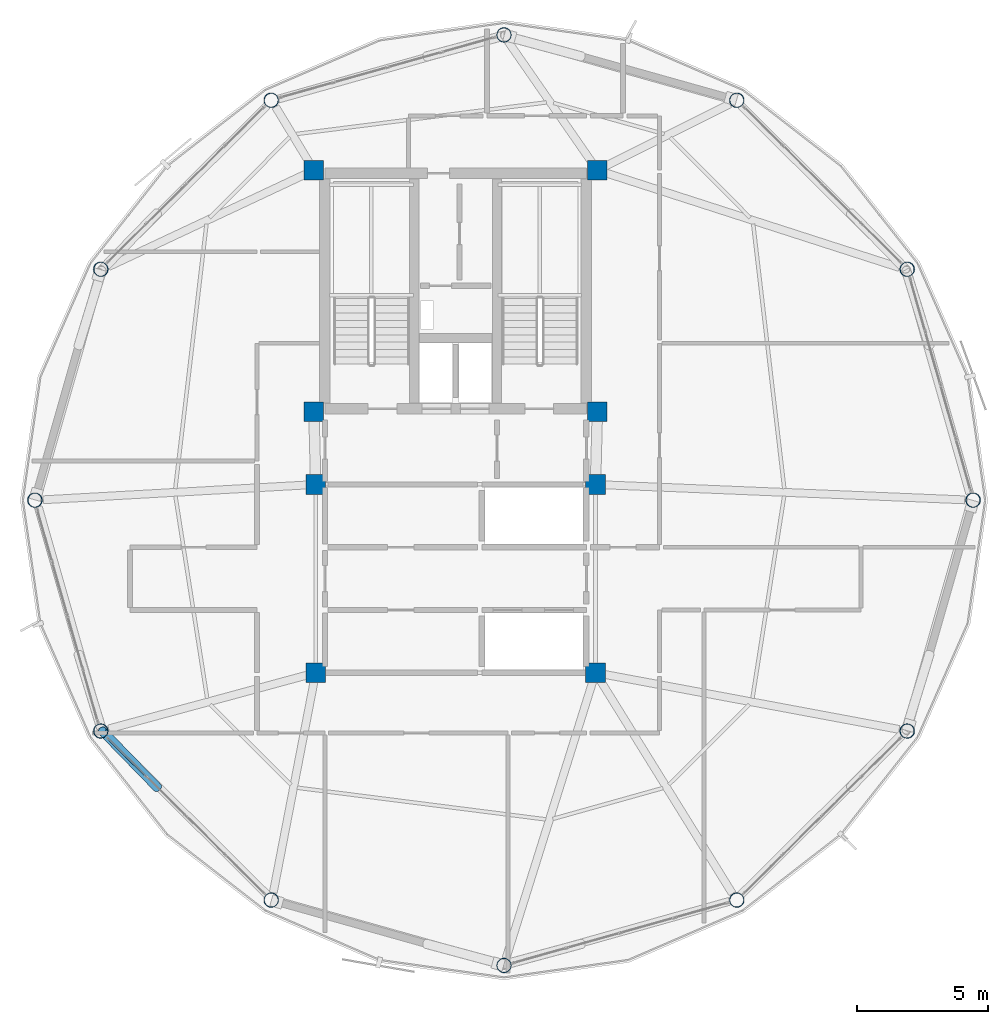
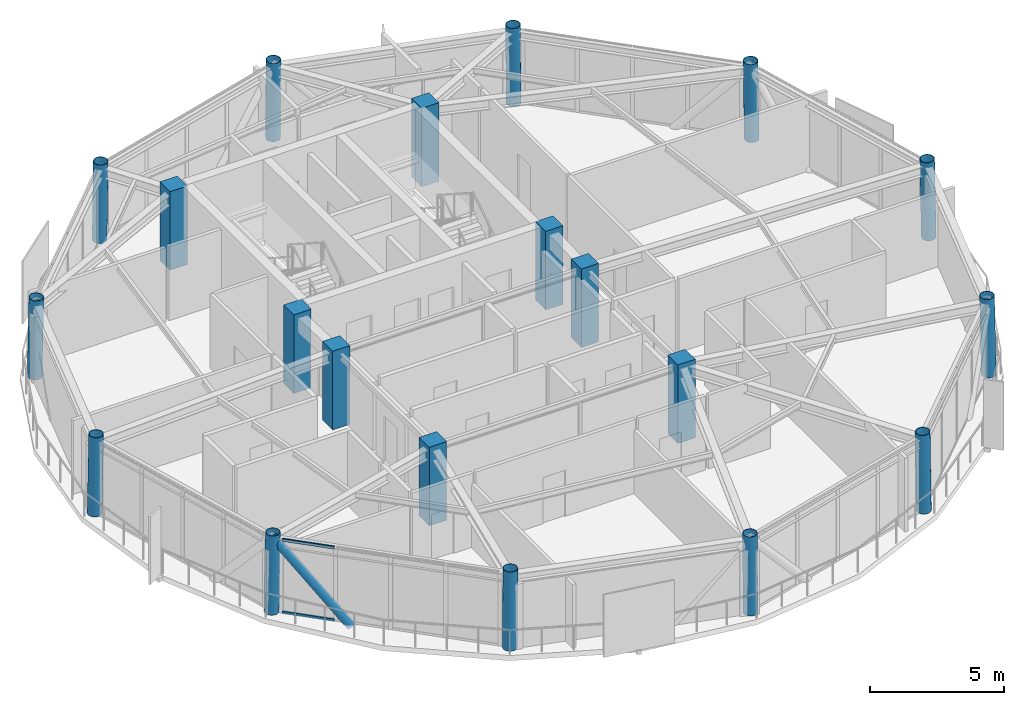
# One storey, part 1 of 25: 20 columns, 3 members, 1 element without a shape of its own.
"""IFC4 building model written with IfcOpenShell, lengths in metres."""

import ifcopenshell
import ifcopenshell.guid

model = None  # the IFC model being written
_history = None  # IfcOwnerHistory: only IFC2X3 demands one
_inside = {}  # id of a spatial element -> (the spatial element, [elements in it])
_under = {}  # id of a project, library or spatial element -> (it, [spatial elements below it])
_declared = {}  # id of a project -> (the project, [libraries it declares])
_typed = {}  # id of a type object -> (the type object, [elements of that type])
_made_of = {}  # id of a material, layer set ... -> (it, [elements and type objects made of it])


def new_model(schema):
    """Start an empty IFC model of exactly this schema.

    Asked for "IFC4X3", IfcOpenShell would pick the latest addendum, in which some entities
    have other attributes; the version numbers below select the first issue.
    IFC2X3 requires an IfcOwnerHistory on every rooted entity: one is made here for all.
    """
    global model, _history
    if schema == "IFC4X3":
        model = ifcopenshell.file(schema_version=(4, 3, 0, 0))
    else:
        model = ifcopenshell.file(schema=schema)
    _inside.clear()
    _under.clear()
    _declared.clear()
    _typed.clear()
    _made_of.clear()
    _history = None
    if model.schema == "IFC2X3":
        org = make("IfcOrganization", Name="unknown")
        user = make(
            "IfcPersonAndOrganization",
            ThePerson=make("IfcPerson", FamilyName="unknown"),
            TheOrganization=org,
        )
        app = make(
            "IfcApplication",
            ApplicationDeveloper=org,
            Version="unknown",
            ApplicationFullName="unknown",
            ApplicationIdentifier="unknown",
        )
        _history = make(
            "IfcOwnerHistory",
            OwningUser=user,
            OwningApplication=app,
            ChangeAction="ADDED",
            CreationDate=0,
        )
    return model


def make(cls, **values):
    """One entity of the class cls with the attributes given. An attribute that is None is left unset."""
    return model.create_entity(
        cls, **{name: value for name, value in values.items() if value is not None}
    )


def rooted(cls, **values):
    """An entity with a GlobalId (a new one), such as an element, a storey or a relation."""
    return make(cls, GlobalId=ifcopenshell.guid.new(), OwnerHistory=_history, **values)


def si_unit(unit_type, name, prefix=None):
    """IfcSIUnit, for example si_unit("LENGTHUNIT", "METRE", prefix="MILLI")."""
    return make("IfcSIUnit", UnitType=unit_type, Prefix=prefix, Name=name)


def assignment(units):
    """IfcUnitAssignment: the units of a project."""
    return None if units is None else make("IfcUnitAssignment", Units=units)


def point(xyz):
    """IfcCartesianPoint."""
    return None if xyz is None else make("IfcCartesianPoint", Coordinates=xyz)


def direction(xyz):
    """IfcDirection."""
    return None if xyz is None else make("IfcDirection", DirectionRatios=xyz)


def frame(location, z_axis=None, x_axis=None):
    """IfcAxis2Placement3D, a coordinate frame: its origin and axes. An axis left out is left unset."""
    return make(
        "IfcAxis2Placement3D",
        Location=point(location),
        Axis=direction(z_axis),
        RefDirection=direction(x_axis),
    )


def frame_2d(location, x_axis=None):
    """IfcAxis2Placement2D, a coordinate frame in the plane: its origin and x axis."""
    return make(
        "IfcAxis2Placement2D", Location=point(location), RefDirection=direction(x_axis)
    )


def origin():
    """The frame at (0, 0, 0) with its axes left unset."""
    return frame((0.0, 0.0, 0.0))


def origin_2d():
    """The frame at (0, 0) in the plane with its x axis left unset."""
    return frame_2d((0.0, 0.0))


def place(relative_to, where):
    """IfcLocalPlacement: puts the frame where relative to a parent placement (None: the world)."""
    return make(
        "IfcLocalPlacement", PlacementRelTo=relative_to, RelativePlacement=where
    )


def context(
    kind, dimensions, precision=None, world=None, true_north=None, identifier=None
):
    """IfcGeometricRepresentationContext, for example the 3D "Model" context."""
    return make(
        "IfcGeometricRepresentationContext",
        ContextIdentifier=identifier,
        ContextType=kind,
        CoordinateSpaceDimension=dimensions,
        Precision=precision,
        WorldCoordinateSystem=world,
        TrueNorth=true_north,
    )


def subcontext(parent, identifier, kind, view, scale=None):
    """IfcGeometricRepresentationSubContext, for example "Body" below "Model"."""
    return make(
        "IfcGeometricRepresentationSubContext",
        ContextIdentifier=identifier,
        ContextType=kind,
        ParentContext=parent,
        TargetScale=scale,
        TargetView=view,
    )


def project(units=None, contexts=None):
    """IfcProject with its units and contexts."""
    return rooted(
        "IfcProject",
        Name="project",
        RepresentationContexts=contexts,
        UnitsInContext=assignment(units),
    )


def spatial(cls, under=None, at=None, **own):
    """A site, building, storey or space (cls), placed at a placement, below another one or the project."""
    s = rooted(cls, ObjectPlacement=at, **own)
    if under is not None:
        _under.setdefault(under.id(), (under, []))[1].append(s)
    return s


def profile(cls, at=None, kind="AREA", **sizes):
    """A parametric profile (cls). Its sizes go by their IFC names, for example OverallWidth=200.0."""
    return make(cls, ProfileType=kind, Position=at, **sizes)


def rectangle(**sizes):
    """IfcRectangleProfileDef."""
    return profile("IfcRectangleProfileDef", **sizes)


def hollow_rectangle(**sizes):
    """IfcRectangleHollowProfileDef."""
    return profile("IfcRectangleHollowProfileDef", **sizes)


def hollow_circle(**sizes):
    """IfcCircleHollowProfileDef."""
    return profile("IfcCircleHollowProfileDef", **sizes)


def extrude(swept, where, along, depth):
    """IfcExtrudedAreaSolid: the profile swept, set in the frame where, extruded along a direction by depth."""
    return make(
        "IfcExtrudedAreaSolid",
        SweptArea=swept,
        Position=where,
        ExtrudedDirection=direction(along),
        Depth=depth,
    )


def shape(context_of_items, identifier, shape_type, items):
    """IfcShapeRepresentation: the items that make up one representation, for example the "Body"."""
    return make(
        "IfcShapeRepresentation",
        ContextOfItems=context_of_items,
        RepresentationIdentifier=identifier,
        RepresentationType=shape_type,
        Items=items,
    )


def material(Name=None, Category=None):
    """IfcMaterial."""
    return make("IfcMaterial", Name=Name, Category=Category)


def layer(
    of_material, thickness, ventilated=None, Name=None, Category=None, Priority=None
):
    """IfcMaterialLayer: one layer of a wall or slab, of a material (None: an air gap)."""
    return make(
        "IfcMaterialLayer",
        Material=of_material,
        LayerThickness=thickness,
        IsVentilated=ventilated,
        Name=Name,
        Category=Category,
        Priority=Priority,
    )


def layer_set(layers, Name=None):
    """IfcMaterialLayerSet."""
    return make("IfcMaterialLayerSet", MaterialLayers=layers, LayerSetName=Name)


def material_profile(
    of_material, cross_section, Name=None, Category=None, Priority=None
):
    """IfcMaterialProfile: a cross section and its material."""
    return make(
        "IfcMaterialProfile",
        Name=Name,
        Material=of_material,
        Profile=cross_section,
        Priority=Priority,
        Category=Category,
    )


def profile_set(profiles, Name=None, composite=None):
    """IfcMaterialProfileSet."""
    return make(
        "IfcMaterialProfileSet",
        Name=Name,
        MaterialProfiles=profiles,
        CompositeProfile=composite,
    )


def made_of(thing, what):
    """Note that an element or type object is made of a material, layer set ...; save() writes the relation."""
    if what is not None:
        _made_of.setdefault(what.id(), (what, []))[1].append(thing)
    return thing


def type_object(cls, material=None, **own):
    """A type object (cls), such as IfcWallType, which elements share."""
    return made_of(rooted(cls, **own), material)


def element(
    cls,
    number,
    at=None,
    inside=None,
    cuts=None,
    type_object=None,
    material=None,
    context=None,
    identifier="Body",
    shape_type=None,
    held_by="IfcProductDefinitionShape",
    body=None,
    shapes=None,
    **own,
):
    """One element of the class cls, such as IfcWall. Its Tag is "e" and its number.

    at: its placement. inside: the storey or other place that contains it. cuts: it is an
    opening in that element (IfcRelVoidsElement). A single representation is given by context,
    identifier, shape_type and body (its items); several are given by shapes. held_by: the class
    of the entity that holds the representations. save() writes the other relations.
    """
    e = rooted(cls, Tag="e%d" % number, ObjectPlacement=at, **own)
    if body is not None:
        shapes = [shape(context, identifier, shape_type, body)]
    if shapes is not None:
        e.Representation = make(held_by, Representations=shapes)
    if inside is not None:
        _inside.setdefault(inside.id(), (inside, []))[1].append(e)
    if cuts is not None:
        rooted(
            "IfcRelVoidsElement", RelatingBuildingElement=cuts, RelatedOpeningElement=e
        )
    if type_object is not None:
        _typed.setdefault(type_object.id(), (type_object, []))[1].append(e)
    return made_of(e, material)


def aggregate(whole, parts):
    """IfcRelAggregates: a whole, such as a stair, and the parts it consists of."""
    return rooted("IfcRelAggregates", RelatingObject=whole, RelatedObjects=parts)


def save(model, path):
    """Write the relations noted so far, then the file.

    IfcRelAggregates (storeys below a building ...), IfcRelContainedInSpatialStructure (elements
    in a storey), IfcRelDefinesByType, IfcRelAssociatesMaterial and IfcRelDeclares: one each for
    every whole, place, type object, material and project.
    """
    for whole, parts in _under.values():
        aggregate(whole, parts)
    for where, things in _inside.values():
        rooted(
            "IfcRelContainedInSpatialStructure",
            RelatedElements=things,
            RelatingStructure=where,
        )
    for kind, things in _typed.values():
        rooted("IfcRelDefinesByType", RelatedObjects=things, RelatingType=kind)
    for what, things in _made_of.values():
        rooted("IfcRelAssociatesMaterial", RelatedObjects=things, RelatingMaterial=what)
    for by, libraries in _declared.values():
        rooted("IfcRelDeclares", RelatingContext=by, RelatedDefinitions=libraries)
    model.write(path)


model = new_model("IFC4")

# Units and contexts
model_context = context("Model", 3, precision=1e-05, world=origin(), true_north=direction((0.0, 1.0)))
body_context = subcontext(model_context, "Body", "Model", "MODEL_VIEW")
ifc_project = project(units=[si_unit("LENGTHUNIT", "METRE"), si_unit("AREAUNIT", "SQUARE_METRE"), si_unit("VOLUMEUNIT", "CUBIC_METRE"), si_unit("PLANEANGLEUNIT", "RADIAN"), si_unit("MASSUNIT", "GRAM", prefix="KILO")], contexts=[model_context])

# Site, building, storey
site_placement = place(None, origin())
site = spatial("IfcSite", under=ifc_project, at=site_placement, CompositionType="ELEMENT")
building_placement = place(site_placement, origin())
building = spatial("IfcBuilding", under=site, at=building_placement, Name="Varnakorn Sky Granary", CompositionType="ELEMENT")
storey_placement = place(building_placement, frame((0.0, 0.0, 277.800048828125)))
storey = spatial("IfcBuildingStorey", under=building, at=storey_placement, Name="L71", CompositionType="ELEMENT", Elevation=277.800048828125)

# Columns
ifc_material_1 = material(Name="Steel S460M", Category="steel")
ifc_material_profile_1 = material_profile(ifc_material_1, hollow_circle(Radius=0.279541015625, WallThickness=0.02001953125, at=origin_2d()), Name="CHS 559x20")
ifc_profile_set_1 = profile_set([ifc_material_profile_1], Name="Steel S460M")
column_type_1 = type_object("IfcColumnType", Name="COL-DC-Z5", PredefinedType="COLUMN", material=ifc_profile_set_1)
column_1_placement = place(storey_placement, frame((22.802978515625, 0.0, 0.0), z_axis=(-0.018981760075, 0.0, 0.999819830162), x_axis=(0.0, -1.0, 0.0)))
element("IfcColumn", 1, at=column_1_placement, inside=storey, type_object=column_type_1, Name="Drum Perimeter Column DC01 L71", PredefinedType="COLUMN", context=body_context, shape_type="SweptSolid", body=[
    extrude(hollow_circle(Radius=0.279541015625, WallThickness=0.02001953125, at=origin_2d()), origin(), (0.0, 0.0, 1.0), 3.57568359375),
])
column_2_placement = place(storey_placement, frame((20.28076171875, 8.83349609375, 0.0), z_axis=(-0.016455959383, -0.00477973924, 0.999853166967), x_axis=(0.278928739366, -0.960311802674, 0.0)))
element("IfcColumn", 2, at=column_2_placement, inside=storey, type_object=column_type_1, Name="Drum Perimeter Column DC02 L71", PredefinedType="COLUMN", context=body_context, shape_type="SweptSolid", body=[
    extrude(hollow_circle(Radius=0.279541015625, WallThickness=0.02001953125, at=origin_2d()), origin(), (0.0, 0.0, 1.0), 3.575439453125),
])
for number, where, z_axis, x_axis, name in (
    (3, (13.759033203125, 15.300048828125, 0.0), (-0.00949183863, -0.008262679671, 0.999920813427), (0.656581650754, -0.754254954172, 0.0), "Drum Perimeter Column DC03 L71"),
    (4, (4.85009765625, 17.802001953125, 0.0), (0.0, -0.00949216266, 0.999954948409), (1.0, 0.0, 0.0), "Drum Perimeter Column DC04 L71"),
    (5, (-4.05908203125, 15.300048828125, 0.0), (0.009560119021, -0.008262674296, 0.999920162982), (0.653901224294, 0.756579928935, 0.0), "Drum Perimeter Column DC05 L71"),
):
    element("IfcColumn", number, at=place(storey_placement, frame(where, z_axis=z_axis, x_axis=x_axis)), inside=storey, type_object=column_type_1, Name=name, PredefinedType="COLUMN", context=body_context, shape_type="SweptSolid", body=[
        extrude(hollow_circle(Radius=0.279541015625, WallThickness=0.02001953125, at=origin_2d()), origin(), (0.0, 0.0, 1.0), 3.5751953125),
    ])
column_3_placement = place(storey_placement, frame((-10.580810546875, 8.83349609375, 0.0), z_axis=(0.016455959383, -0.00477973924, 0.999853166967), x_axis=(0.278928739366, 0.960311802674, 0.0)))
element("IfcColumn", 6, at=column_3_placement, inside=storey, type_object=column_type_1, Name="Drum Perimeter Column DC06 L71", PredefinedType="COLUMN", context=body_context, shape_type="SweptSolid", body=[
    extrude(hollow_circle(Radius=0.279541015625, WallThickness=0.02001953125, at=origin_2d()), origin(), (0.0, 0.0, 1.0), 3.575439453125),
])
column_4_placement = place(storey_placement, frame((-13.10302734375, 0.0, 0.0), z_axis=(0.019050015053, 0.0, 0.999818531998), x_axis=(0.0, 1.0, 0.0)))
element("IfcColumn", 7, at=column_4_placement, inside=storey, type_object=column_type_1, Name="Drum Perimeter Column DC07 L71", PredefinedType="COLUMN", context=body_context, shape_type="SweptSolid", body=[
    extrude(hollow_circle(Radius=0.279541015625, WallThickness=0.02001953125, at=origin_2d()), origin(), (0.0, 0.0, 1.0), 3.57568359375),
])
column_5_placement = place(storey_placement, frame((-10.580810546875, -8.83349609375, 0.0), z_axis=(0.016455959383, 0.00477973924, 0.999853166967), x_axis=(-0.278928739366, 0.960311802674, 0.0)))
element("IfcColumn", 8, at=column_5_placement, inside=storey, type_object=column_type_1, Name="Drum Perimeter Column DC08 L71", PredefinedType="COLUMN", context=body_context, shape_type="SweptSolid", body=[
    extrude(hollow_circle(Radius=0.279541015625, WallThickness=0.02001953125, at=origin_2d()), origin(), (0.0, 0.0, 1.0), 3.575439453125),
])
for number, where, z_axis, x_axis, name in (
    (9, (-4.05908203125, -15.300048828125, 0.0), (0.009560119021, 0.008262674296, 0.999920162982), (-0.653901224294, 0.756579928935, 0.0), "Drum Perimeter Column DC09 L71"),
    (10, (4.85009765625, -17.802001953125, 0.0), (0.0, 0.00949216266, 0.999954948409), (-1.0, 0.0, 0.0), "Drum Perimeter Column DC10 L71"),
    (11, (13.759033203125, -15.300048828125, 0.0), (-0.00949183863, 0.008262679671, 0.999920813427), (-0.656581650754, -0.754254954172, 0.0), "Drum Perimeter Column DC11 L71"),
):
    element("IfcColumn", number, at=place(storey_placement, frame(where, z_axis=z_axis, x_axis=x_axis)), inside=storey, type_object=column_type_1, Name=name, PredefinedType="COLUMN", context=body_context, shape_type="SweptSolid", body=[
        extrude(hollow_circle(Radius=0.279541015625, WallThickness=0.02001953125, at=origin_2d()), origin(), (0.0, 0.0, 1.0), 3.5751953125),
    ])
column_6_placement = place(storey_placement, frame((20.28076171875, -8.83349609375, 0.0), z_axis=(-0.016455959383, 0.00477973924, 0.999853166967), x_axis=(-0.278928739366, -0.960311802674, 0.0)))
element("IfcColumn", 12, at=column_6_placement, inside=storey, type_object=column_type_1, Name="Drum Perimeter Column DC12 L71", PredefinedType="COLUMN", context=body_context, shape_type="SweptSolid", body=[
    extrude(hollow_circle(Radius=0.279541015625, WallThickness=0.02001953125, at=origin_2d()), origin(), (0.0, 0.0, 1.0), 3.575439453125),
])
ifc_material_2 = material(Name="Concrete C50/60", Category="concrete")
ifc_material_profile_2 = material_profile(ifc_material_2, rectangle(XDim=0.75, YDim=0.75, at=origin_2d()), Name="RC 750x750")
ifc_profile_set_2 = profile_set([ifc_material_profile_2], Name="Concrete C50/60")
column_type_2 = type_object("IfcColumnType", Name="COL-MC-Z5", PredefinedType="COLUMN", material=ifc_profile_set_2)
for number, where, z_axis, x_axis, name in (
    (13, (-2.419921875, 12.6201171875, 0.0), (0.0, 0.0, 1.0), (1.0, 0.0, 0.0), "Backbone Mega-Column MC1 L71"),
    (14, (8.419921875, 12.6201171875, 0.0), (0.0, 0.0, 1.0), (1.0, 0.0, 0.0), "Backbone Mega-Column MC2 L71"),
    (15, (-2.419921875, 3.3798828125, 0.0), (0.0, 0.0, 1.0), (1.0, 0.0, 0.0), "Backbone Mega-Column MC3 L71"),
    (16, (8.419921875, 3.3798828125, 0.0), (0.0, 0.0, 1.0), (1.0, 0.0, 0.0), "Backbone Mega-Column MC4 L71"),
    (17, (-2.35009765625, 0.60009765625, 0.0), (0.0, 0.0, 1.0), (1.0, 0.0, 0.0), "Backbone Mega-Column MC5 L71"),
    (18, (8.35009765625, 0.60009765625, 0.0), (0.0, 0.0, 1.0), (1.0, 0.0, 0.0), "Backbone Mega-Column MC6 L71"),
    (19, (-2.35009765625, -6.60009765625, 0.0), (0.0, 0.0, 1.0), (1.0, 0.0, 0.0), "Backbone Mega-Column MC7 L71"),
    (20, (8.35009765625, -6.60009765625, 0.0), (0.0, 0.0, 1.0), (1.0, 0.0, 0.0), "Backbone Mega-Column MC8 L71"),
):
    element("IfcColumn", number, at=place(storey_placement, frame(where, z_axis=z_axis, x_axis=x_axis)), inside=storey, type_object=column_type_2, Name=name, PredefinedType="COLUMN", context=body_context, shape_type="SweptSolid", body=[
        extrude(rectangle(XDim=0.75, YDim=0.75, at=origin_2d()), origin(), (0.0, 0.0, 1.0), 3.574951171875),
    ])

# Curtain wall, members
ifc_material_3 = material(Name="Anodised Bronze Aluminium Alloy 6063-T6", Category="aluminium")
ifc_layer = layer(ifc_material_3, 0.159912109375, Name="Anodised Bronze Aluminium Alloy 6063-T6")
ifc_layer_set = layer_set([ifc_layer], Name="Anodised Bronze Aluminium Alloy 6063-T6")
curtain_wall_type = type_object("IfcCurtainWallType", Name="CW-OFF-1", PredefinedType="USERDEFINED", material=ifc_layer_set)
curtain_wall_placement = place(storey_placement, origin())
curtain_wall = element("IfcCurtainWall", 21, at=curtain_wall_placement, inside=storey, type_object=curtain_wall_type, Name="Unitised Curtain Wall CW6 CW-L71-B08", ObjectType="CURTAIN WALL", PredefinedType="USERDEFINED")
ifc_material_profile_3 = material_profile(ifc_material_3, hollow_rectangle(XDim=0.06494140625, YDim=0.1201171875, WallThickness=0.00341796875, at=origin_2d()), Name="ALU TRAN 65x120")
ifc_profile_set_3 = profile_set([ifc_material_profile_3], Name="Anodised Bronze Aluminium Alloy 6063-T6")
member_type_1 = type_object("IfcMemberType", Name="CW-OFF-1-TRAN", PredefinedType="USERDEFINED", material=ifc_profile_set_3)
member_1_placement = place(storey_placement, frame((-8.852783203125, -10.546875, 0.032470703125), z_axis=(-0.710048643289, 0.704152628457, 0.0), x_axis=(-0.704152628457, -0.710048643289, 0.0)))
member_1 = element("IfcMember", 22, at=member_1_placement, type_object=member_type_1, Name="CW6 transom 4.1", ObjectType="TRANSOM", PredefinedType="USERDEFINED", context=body_context, shape_type="SweptSolid", body=[
    extrude(hollow_rectangle(XDim=0.06494140625, YDim=0.1201171875, WallThickness=0.00341796875, at=origin_2d()), origin(), (0.0, 0.0, 1.0), 2.029052734375),
])
member_2_placement = place(storey_placement, frame((-8.852783203125, -10.546875, 3.327392578125), z_axis=(-0.710048643289, 0.704152628457, 0.0), x_axis=(-0.704152628457, -0.710048643289, 0.0)))
member_2 = element("IfcMember", 23, at=member_2_placement, type_object=member_type_1, Name="CW6 transom 4.2", ObjectType="TRANSOM", PredefinedType="USERDEFINED", context=body_context, shape_type="SweptSolid", body=[
    extrude(hollow_rectangle(XDim=0.06494140625, YDim=0.1201171875, WallThickness=0.00341796875, at=origin_2d()), origin(), (0.0, 0.0, 1.0), 2.029052734375),
])
aggregate(curtain_wall, [member_1, member_2])

# Member
ifc_material_profile_4 = material_profile(ifc_material_1, hollow_circle(Radius=0.177734375, WallThickness=0.01416015625, at=origin_2d()), Name="CHS 355.6x14")
ifc_profile_set_4 = profile_set([ifc_material_profile_4], Name="Steel S460M")
member_type_2 = type_object("IfcMemberType", Name="MB-DIAG-T5", PredefinedType="BRACE", material=ifc_profile_set_4)
member_3_placement = place(storey_placement, frame((-8.406982421875, -10.989013671875, -0.130126953125), z_axis=(-0.457479005261, 0.469941783195, 0.754895807481), x_axis=(-0.716544261542, -0.697541626895, 0.0)))
element("IfcMember", 24, at=member_3_placement, inside=storey, type_object=member_type_2, Name="Perimeter CHS Diagrid Brace DG08 L71", PredefinedType="BRACE", context=body_context, shape_type="SweptSolid", body=[
    extrude(hollow_circle(Radius=0.177734375, WallThickness=0.01416015625, at=origin_2d()), origin(), (0.0, 0.0, 1.0), 4.623046875),
])

save(model, "model.ifc")
